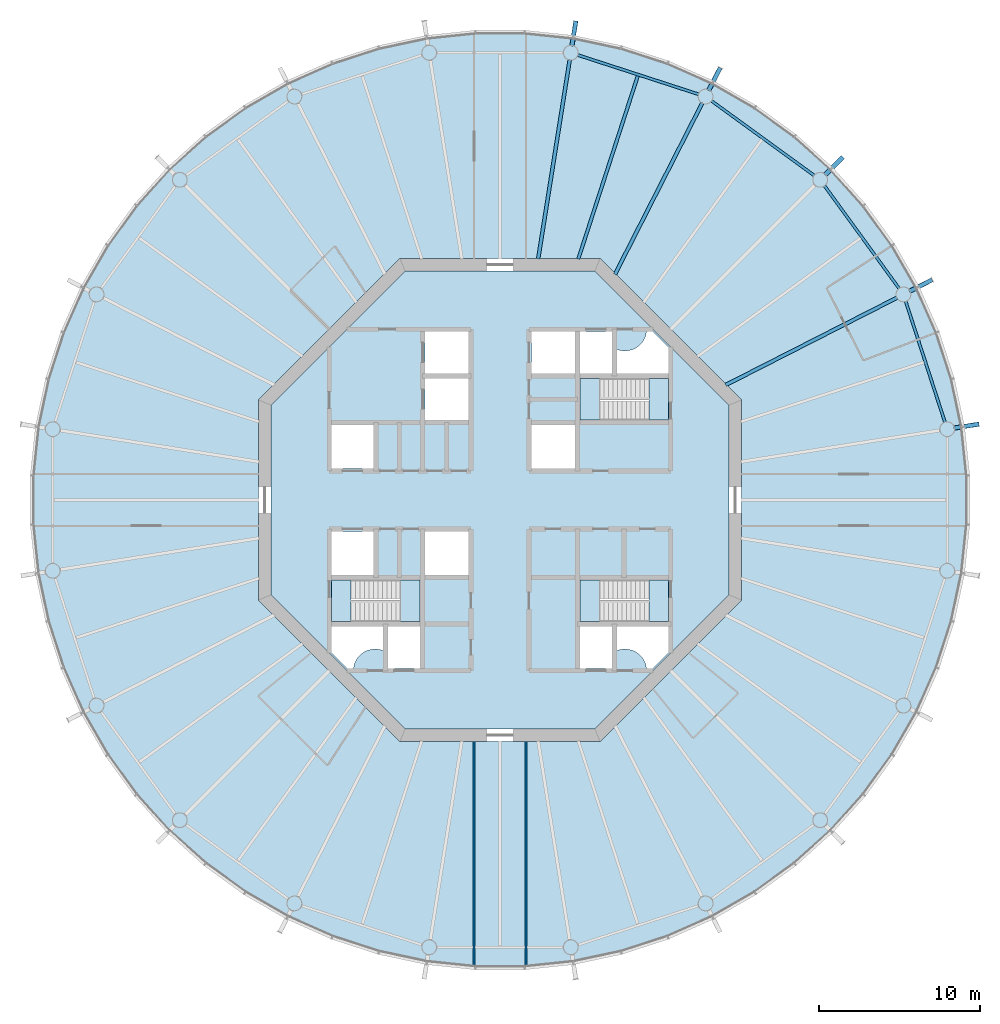
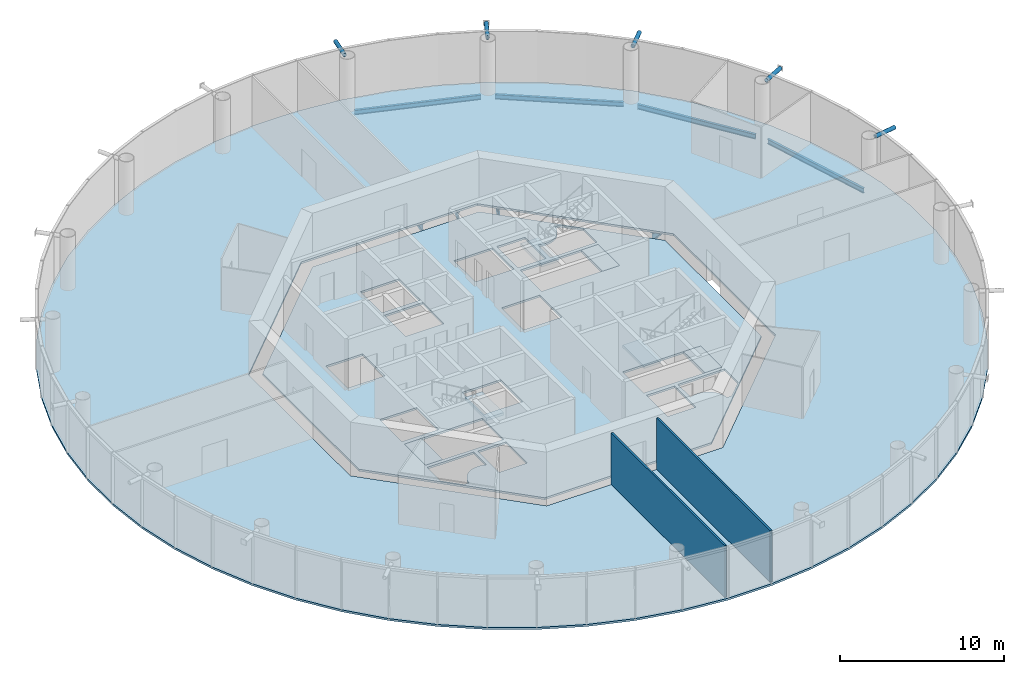
# One storey, part 2 of 16: 8 beams, 8 slabs, 5 members, 2 walls, 3 elements without a shape of their own.
"""IFC4 building model written with IfcOpenShell, lengths in metres."""

from ifc_helpers import new_model, si_unit, direction, frame, frame_2d, origin, origin_2d, place, context, subcontext, project, spatial, polyline, rectangle, circle, hollow_circle, i_section, outline, extrude, material, layer, layer_set, material_profile, profile_set, type_object, element, aggregate, save


model = new_model("IFC4")

# Units and contexts
model_context = context("Model", 3, precision=1e-05, world=origin(), true_north=direction((0.0, 1.0)))
body_context = subcontext(model_context, "Body", "Model", "MODEL_VIEW")
ifc_project = project(units=[si_unit("LENGTHUNIT", "METRE"), si_unit("AREAUNIT", "SQUARE_METRE"), si_unit("VOLUMEUNIT", "CUBIC_METRE"), si_unit("PLANEANGLEUNIT", "RADIAN"), si_unit("MASSUNIT", "GRAM", prefix="KILO")], contexts=[model_context])

# Site, building, storey
site_placement = place(None, origin())
site = spatial("IfcSite", under=ifc_project, at=site_placement, CompositionType="ELEMENT")
building_placement = place(site_placement, origin())
building = spatial("IfcBuilding", under=site, at=building_placement, Name="Entoto Ring Tower", CompositionType="ELEMENT")
storey_placement = place(building_placement, frame((0.0, 0.0, 326.0)))
storey = spatial("IfcBuildingStorey", under=building, at=storey_placement, Name="L75", CompositionType="ELEMENT", Elevation=326.0)

# Members
ifc_material_1 = material(Name="Steel S355", Category="steel")
ifc_material_profile_1 = material_profile(ifc_material_1, hollow_circle(Radius=0.136474609375, WallThickness=0.012451171875, at=origin_2d()), Name="CHS 273 x 12.5")
ifc_material_2 = material(Name="Concrete C60/75", Category="concrete")
ifc_material_profile_2 = material_profile(ifc_material_2, circle(Radius=0.1240234375, at=origin_2d()), Name="Concrete C60/75 infill")
ifc_profile_set_1 = profile_set([ifc_material_profile_1, ifc_material_profile_2], Name="Steel S355")
member_type = type_object("IfcMemberType", Name="Diagrid node strut 273 x 12.5", PredefinedType="STRUT", material=ifc_profile_set_1)
for number, where, z_axis, x_axis, name in (
    (1, (118.18359375, 84.4638671875, 3.71337890625), (0.987685696029, 0.156451161263, 0.0), (-0.156451161263, 0.987685696029, 0.0), "DS2 strut ring 24 01"),
    (2, (115.4248046875, 92.95458984375, 3.71337890625), (0.891032354048, 0.45393980222, 0.0), (-0.45393980222, 0.891032354048, 0.0), "DS2 strut ring 24 02"),
    (3, (110.17724609375, 100.17724609375, 3.71337890625), (0.707106781187, 0.707106781187, 0.0), (-0.707106781187, 0.707106781187, 0.0), "DS2 strut ring 24 03"),
    (4, (102.95458984375, 105.4248046875, 3.71337890625), (0.45393980222, 0.891032354048, 0.0), (-0.891032354048, 0.45393980222, 0.0), "DS2 strut ring 24 04"),
    (5, (94.4638671875, 108.18359375, 3.71337890625), (0.156451161263, 0.987685696029, 0.0), (-0.987685696029, 0.156451161263, 0.0), "DS2 strut ring 24 05"),
):
    element("IfcMember", number, at=place(storey_placement, frame(where, z_axis=z_axis, x_axis=x_axis)), inside=storey, type_object=member_type, Name=name, PredefinedType="STRUT", context=body_context, shape_type="SweptSolid", body=[
        extrude(hollow_circle(Radius=0.136474609375, WallThickness=0.012451171875, at=origin_2d()), origin(), (0.0, 0.0, 1.0), 1.565185546875),
    ])

# Beams
ifc_material_3 = material(Name="Steel S355", Category="steel")
ifc_material_profile_3 = material_profile(ifc_material_3, i_section(OverallWidth=0.169921875, OverallDepth=0.360107421875, WebThickness=0.008056640625, FlangeThickness=0.0126953125, FilletRadius=0.01806640625, at=origin_2d()), Name="IPE 360")
ifc_profile_set_2 = profile_set([ifc_material_profile_3], Name="Steel S355")
beam_type_1 = type_object("IfcBeamType", Name="Edge beam IPE 360", PredefinedType="SPANDREL", material=ifc_profile_set_2)
beam_1_placement = place(storey_placement, frame((117.61572265625, 84.8212890625, -0.330078125), z_axis=(-0.309002883506, 0.951061101079, 0.0), x_axis=(-0.951061101079, -0.309002883506, 0.0)))
element("IfcBeam", 6, at=beam_1_placement, inside=storey, type_object=beam_type_1, Name="Edge beam L75 01", PredefinedType="SPANDREL", context=body_context, shape_type="SweptSolid", body=[
    extrude(i_section(OverallWidth=0.169921875, OverallDepth=0.360107421875, WebThickness=0.008056640625, FlangeThickness=0.0126953125, FilletRadius=0.01806640625, at=origin_2d()), origin(), (0.0, 0.0, 1.0), 7.89697265625),
])
for number, where, z_axis, x_axis, name in (
    (7, (114.7744140625, 93.118896484375, -0.330078125), (-0.587787449408, 0.809015398073, 0.0), (-0.809015398073, -0.587787449408, 0.0), "Edge beam L75 02"),
    (8, (109.5078125, 100.132568359375, -0.330078125), (-0.809015398073, 0.587787449408, 0.0), (-0.587787449408, -0.809015398073, 0.0), "Edge beam L75 03"),
):
    element("IfcBeam", number, at=place(storey_placement, frame(where, z_axis=z_axis, x_axis=x_axis)), inside=storey, type_object=beam_type_1, Name=name, PredefinedType="SPANDREL", context=body_context, shape_type="SweptSolid", body=[
        extrude(i_section(OverallWidth=0.169921875, OverallDepth=0.360107421875, WebThickness=0.008056640625, FlangeThickness=0.0126953125, FilletRadius=0.01806640625, at=origin_2d()), origin(), (0.0, 0.0, 1.0), 7.897216796875),
    ])
beam_2_placement = place(storey_placement, frame((102.331787109375, 105.175537109375, -0.330078125), z_axis=(-0.951061101079, 0.309002883506, 0.0), x_axis=(-0.309002883506, -0.951061101079, 0.0)))
element("IfcBeam", 9, at=beam_2_placement, inside=storey, type_object=beam_type_1, Name="Edge beam L75 04", PredefinedType="SPANDREL", context=body_context, shape_type="SweptSolid", body=[
    extrude(i_section(OverallWidth=0.169921875, OverallDepth=0.360107421875, WebThickness=0.008056640625, FlangeThickness=0.0126953125, FilletRadius=0.01806640625, at=origin_2d()), origin(), (0.0, 0.0, 1.0), 7.89697265625),
])
ifc_material_4 = material(Name="Steel S355", Category="steel")
ifc_material_profile_4 = material_profile(ifc_material_4, i_section(OverallWidth=0.219970703125, OverallDepth=0.60009765625, WebThickness=0.011962890625, FlangeThickness=0.01904296875, FilletRadius=0.02392578125, at=origin_2d()), Name="IPE 600")
ifc_profile_set_3 = profile_set([ifc_material_profile_4], Name="Steel S355")
beam_type_2 = type_object("IfcBeamType", Name="Primary floor beam IPE 600", PredefinedType="BEAM", material=ifc_profile_set_3)
for number, where, z_axis, x_axis, name in (
    (10, (104.003173828125, 87.135009765625, -0.449951171875), (0.891007666593, 0.453988257638, 0.0), (-0.453988257638, 0.891007666593, 0.0), "Primary L75 R02"),
    (11, (97.135009765625, 94.003173828125, -0.449951171875), (0.453988257638, 0.891007666593, 0.0), (-0.891007666593, 0.453988257638, 0.0), "Primary L75 R04"),
):
    element("IfcBeam", number, at=place(storey_placement, frame(where, z_axis=z_axis, x_axis=x_axis)), inside=storey, type_object=beam_type_2, Name=name, PredefinedType="BEAM", context=body_context, shape_type="SweptSolid", body=[
        extrude(i_section(OverallWidth=0.219970703125, OverallDepth=0.60009765625, WebThickness=0.011962890625, FlangeThickness=0.01904296875, FilletRadius=0.02392578125, at=origin_2d()), origin(), (0.0, 0.0, 1.0), 11.941650390625),
    ])
beam_3_placement = place(storey_placement, frame((92.369873046875, 94.963134765625, -0.449951171875), z_axis=(0.156439647277, 0.987687519796, 0.0), x_axis=(-0.987687519796, 0.156439647277, 0.0)))
element("IfcBeam", 12, at=beam_3_placement, inside=storey, type_object=beam_type_2, Name="Primary L75 R05", PredefinedType="BEAM", context=body_context, shape_type="SweptSolid", body=[
    extrude(i_section(OverallWidth=0.219970703125, OverallDepth=0.60009765625, WebThickness=0.011962890625, FlangeThickness=0.01904296875, FilletRadius=0.02392578125, at=origin_2d()), origin(), (0.0, 0.0, 1.0), 12.50830078125),
])
ifc_material_5 = material(Name="Steel S355", Category="steel")
ifc_material_profile_5 = material_profile(ifc_material_5, i_section(OverallWidth=0.199951171875, OverallDepth=0.5, WebThickness=0.01025390625, FlangeThickness=0.01611328125, FilletRadius=0.02099609375, at=origin_2d()), Name="IPE 500")
ifc_profile_set_4 = profile_set([ifc_material_profile_5], Name="Steel S355")
beam_type_3 = type_object("IfcBeamType", Name="Secondary floor beam IPE 500", PredefinedType="JOIST", material=ifc_profile_set_4)
beam_4_placement = place(storey_placement, frame((94.857666015625, 94.9501953125, -0.39990234375), z_axis=(0.30901677521, 0.951056587506, 0.0), x_axis=(-0.951056587506, 0.30901677521, 0.0)))
element("IfcBeam", 13, at=beam_4_placement, inside=storey, type_object=beam_type_3, Name="Secondary beam L75 04", PredefinedType="JOIST", context=body_context, shape_type="SweptSolid", body=[
    extrude(i_section(OverallWidth=0.199951171875, OverallDepth=0.5, WebThickness=0.01025390625, FlangeThickness=0.01611328125, FilletRadius=0.02099609375, at=origin_2d()), origin(), (0.0, 0.0, 1.0), 11.94970703125),
])

# Slabs
ifc_material_6 = material(Name="Concrete C30/37", Category="concrete")
ifc_layer_1 = layer(ifc_material_6, 0.14990234375)
ifc_layer_set_1 = layer_set([ifc_layer_1], Name="Concrete C30/37")
slab_type_1 = type_object("IfcSlabType", Name="Composite floor slab 150 mm", PredefinedType="FLOOR", material=ifc_layer_set_1)
slab_1_placement = place(storey_placement, frame((0.0, 0.0, -0.14990234375)))
element("IfcSlab", 14, at=slab_1_placement, inside=storey, type_object=slab_type_1, Name="Floor slab L75", PredefinedType="FLOOR", context=body_context, shape_type="SweptSolid", body=[
    extrude(outline(polyline([(118.74169921875, 84.55224609375), (118.1083984375, 87.53173828125), (117.167236328125, 90.428466796875), (115.92822265625, 93.211181640625), (114.4052734375, 95.848876953125), (112.614990234375, 98.313232421875), (110.576904296875, 100.576904296875), (108.313232421875, 102.614990234375), (105.848876953125, 104.4052734375), (103.211181640625, 105.92822265625), (100.428466796875, 107.167236328125), (97.53173828125, 108.1083984375), (94.55224609375, 108.74169921875), (91.52294921875, 109.06005859375), (88.47705078125, 109.06005859375), (85.44775390625, 108.74169921875), (82.46826171875, 108.1083984375), (79.571533203125, 107.167236328125), (76.788818359375, 105.92822265625), (74.151123046875, 104.4052734375), (71.686767578125, 102.614990234375), (69.423095703125, 100.576904296875), (67.385009765625, 98.313232421875), (65.5947265625, 95.848876953125), (64.07177734375, 93.211181640625), (62.832763671875, 90.428466796875), (61.8916015625, 87.53173828125), (61.25830078125, 84.55224609375), (60.93994140625, 81.52294921875), (60.93994140625, 78.47705078125), (61.25830078125, 75.44775390625), (61.8916015625, 72.46826171875), (62.832763671875, 69.571533203125), (64.07177734375, 66.788818359375), (65.5947265625, 64.151123046875), (67.385009765625, 61.686767578125), (69.423095703125, 59.423095703125), (71.686767578125, 57.385009765625), (74.151123046875, 55.5947265625), (76.788818359375, 54.07177734375), (79.571533203125, 52.832763671875), (82.46826171875, 51.8916015625), (85.44775390625, 51.25830078125), (88.47705078125, 50.93994140625), (91.52294921875, 50.93994140625), (94.55224609375, 51.25830078125), (97.53173828125, 51.8916015625), (100.428466796875, 52.832763671875), (103.211181640625, 54.07177734375), (105.848876953125, 55.5947265625), (108.313232421875, 57.385009765625), (110.576904296875, 59.423095703125), (112.614990234375, 61.686767578125), (114.4052734375, 64.151123046875), (115.92822265625, 66.788818359375), (117.167236328125, 69.571533203125), (118.1083984375, 72.46826171875), (118.74169921875, 75.44775390625), (119.06005859375, 78.47705078125), (119.06005859375, 81.52294921875), (118.74169921875, 84.55224609375)]), holes=[polyline([(105.0, 73.786865234375), (105.0, 86.213134765625), (96.213134765625, 95.0), (83.786865234375, 95.0), (75.0, 86.213134765625), (75.0, 73.786865234375), (83.786865234375, 65.0), (96.213134765625, 65.0), (105.0, 73.786865234375)])]), origin(), (0.0, 0.0, 1.0), 0.14990234375),
])
ifc_material_7 = material(Name="Concrete C40/50", Category="concrete")
ifc_layer_2 = layer(ifc_material_7, 0.14990234375)
ifc_layer_set_2 = layer_set([ifc_layer_2], Name="Concrete C40/50")
slab_type_2 = type_object("IfcSlabType", Name="Core floor slab 150 mm reinforced concrete C40/50", PredefinedType="FLOOR", material=ifc_layer_set_2)
slab_2_placement = place(storey_placement, frame((0.0, 0.0, -0.14990234375)))
element("IfcSlab", 15, at=slab_2_placement, inside=storey, type_object=slab_type_2, Name="Core floor L75", PredefinedType="FLOOR", context=body_context, shape_type="SweptSolid", body=[
    extrude(outline(polyline([(104.199951171875, 74.1181640625), (104.199951171875, 85.8818359375), (95.8818359375, 94.199951171875), (84.1181640625, 94.199951171875), (75.800048828125, 85.8818359375), (75.800048828125, 74.1181640625), (84.1181640625, 65.800048828125), (95.8818359375, 65.800048828125), (104.199951171875, 74.1181640625)]), holes=[polyline([(100.449951171875, 84.949951171875), (100.449951171875, 87.550048828125), (94.949951171875, 87.550048828125), (94.949951171875, 84.949951171875), (100.449951171875, 84.949951171875)]), polyline([(85.050048828125, 72.449951171875), (85.050048828125, 75.050048828125), (79.550048828125, 75.050048828125), (79.550048828125, 72.449951171875), (85.050048828125, 72.449951171875)]), polyline([(100.449951171875, 72.449951171875), (100.449951171875, 75.050048828125), (94.949951171875, 75.050048828125), (94.949951171875, 72.449951171875), (100.449951171875, 72.449951171875)]), polyline([(94.949951171875, 90.449951171875), (94.949951171875, 87.85009765625), (96.949951171875, 87.85009765625), (96.949951171875, 90.449951171875), (94.949951171875, 90.449951171875)]), polyline([(94.949951171875, 72.14990234375), (94.949951171875, 69.550048828125), (96.949951171875, 69.550048828125), (96.949951171875, 72.14990234375), (94.949951171875, 72.14990234375)]), polyline([(83.050048828125, 72.14990234375), (83.050048828125, 69.550048828125), (85.050048828125, 69.550048828125), (85.050048828125, 72.14990234375), (83.050048828125, 72.14990234375)]), polyline([(79.550048828125, 81.949951171875), (82.14990234375, 81.949951171875), (82.14990234375, 84.64990234375), (79.550048828125, 84.64990234375), (79.550048828125, 81.949951171875)]), polyline([(79.550048828125, 75.35009765625), (82.14990234375, 75.35009765625), (82.14990234375, 78.050048828125), (79.550048828125, 78.050048828125), (79.550048828125, 75.35009765625)]), polyline([(91.949951171875, 87.85009765625), (94.64990234375, 87.85009765625), (94.64990234375, 90.449951171875), (91.949951171875, 90.449951171875), (91.949951171875, 87.85009765625)]), polyline([(91.949951171875, 81.949951171875), (94.64990234375, 81.949951171875), (94.64990234375, 84.64990234375), (91.949951171875, 84.64990234375), (91.949951171875, 81.949951171875)]), polyline([(85.35009765625, 75.35009765625), (88.050048828125, 75.35009765625), (88.050048828125, 78.050048828125), (85.35009765625, 78.050048828125), (85.35009765625, 75.35009765625)]), polyline([(85.35009765625, 84.949951171875), (88.050048828125, 84.949951171875), (88.050048828125, 87.550048828125), (85.35009765625, 87.550048828125), (85.35009765625, 84.949951171875)]), polyline([(85.35009765625, 87.85009765625), (88.050048828125, 87.85009765625), (88.050048828125, 90.449951171875), (85.35009765625, 90.449951171875), (85.35009765625, 87.85009765625)]), polyline([(97.199951171875, 89.368408203125), (97.199951171875, 87.800048828125), (100.5, 87.800048828125), (100.5, 89.4404296875), (99.4404296875, 90.5), (99.09521484375, 90.5), (99.093505859375, 90.4677734375), (99.07421875, 90.336669921875), (99.0419921875, 90.2080078125), (98.997314453125, 90.08349609375), (98.940673828125, 89.963623046875), (98.87255859375, 89.85009765625), (98.793701171875, 89.74365234375), (98.70458984375, 89.6455078125), (98.6064453125, 89.556396484375), (98.5, 89.4775390625), (98.386474609375, 89.409423828125), (98.2666015625, 89.352783203125), (98.141845703125, 89.30810546875), (98.013427734375, 89.27587890625), (97.88232421875, 89.256591796875), (97.75, 89.25), (97.61767578125, 89.256591796875), (97.486572265625, 89.27587890625), (97.358154296875, 89.30810546875), (97.2333984375, 89.352783203125), (97.199951171875, 89.368408203125)]), polyline([(80.5595703125, 69.5), (80.90478515625, 69.5), (80.906494140625, 69.5322265625), (80.92578125, 69.663330078125), (80.9580078125, 69.7919921875), (81.002685546875, 69.91650390625), (81.059326171875, 70.036376953125), (81.12744140625, 70.14990234375), (81.206298828125, 70.25634765625), (81.29541015625, 70.3544921875), (81.3935546875, 70.443603515625), (81.5, 70.5224609375), (81.613525390625, 70.590576171875), (81.7333984375, 70.647216796875), (81.858154296875, 70.69189453125), (81.986572265625, 70.72412109375), (82.11767578125, 70.743408203125), (82.25, 70.75), (82.38232421875, 70.743408203125), (82.513427734375, 70.72412109375), (82.641845703125, 70.69189453125), (82.7666015625, 70.647216796875), (82.800048828125, 70.631591796875), (82.800048828125, 72.199951171875), (79.5, 72.199951171875), (79.5, 70.5595703125), (80.5595703125, 69.5)]), polyline([(99.09521484375, 69.5), (99.4404296875, 69.5), (100.5, 70.5595703125), (100.5, 72.199951171875), (97.199951171875, 72.199951171875), (97.199951171875, 70.631591796875), (97.2333984375, 70.647216796875), (97.358154296875, 70.69189453125), (97.486572265625, 70.72412109375), (97.61767578125, 70.743408203125), (97.75, 70.75), (97.88232421875, 70.743408203125), (98.013427734375, 70.72412109375), (98.141845703125, 70.69189453125), (98.2666015625, 70.647216796875), (98.386474609375, 70.590576171875), (98.5, 70.5224609375), (98.6064453125, 70.443603515625), (98.70458984375, 70.3544921875), (98.793701171875, 70.25634765625), (98.87255859375, 70.14990234375), (98.940673828125, 70.036376953125), (98.997314453125, 69.91650390625), (99.0419921875, 69.7919921875), (99.07421875, 69.663330078125), (99.093505859375, 69.5322265625), (99.09521484375, 69.5)])]), origin(), (0.0, 0.0, 1.0), 0.14990234375),
])

# Stair, slabs
ifc_material_8 = material(Name="Concrete C40/50", Category="concrete")
stair_type = type_object("IfcStairType", Name="Exit stair 1200 mm dog-leg reinforced concrete", PredefinedType="HALF_TURN_STAIR", material=ifc_material_8)
stair_1_placement = place(storey_placement, origin())
stair_1 = element("IfcStair", 16, at=stair_1_placement, inside=storey, type_object=stair_type, Name="Exit stair 1", PredefinedType="HALF_TURN_STAIR")
ifc_material_9 = material(Name="Concrete C40/50", Category="concrete")
ifc_layer_3 = layer(ifc_material_9, 0.199951171875)
ifc_layer_set_3 = layer_set([ifc_layer_3], Name="Concrete C40/50")
slab_type_3 = type_object("IfcSlabType", Name="Stair landing 200 mm reinforced concrete", PredefinedType="LANDING", material=ifc_layer_set_3)
slab_3_placement = place(storey_placement, frame((0.0, 0.0, -0.199951171875)))
slab_3 = element("IfcSlab", 17, at=slab_3_placement, type_object=slab_type_3, Name="ST1 landing 1", PredefinedType="LANDING", context=body_context, shape_type="SweptSolid", body=[
    extrude(outline(polyline([(100.449951171875, 84.949951171875), (100.449951171875, 87.550048828125), (99.25, 87.550048828125), (99.25, 84.949951171875), (100.449951171875, 84.949951171875)])), origin(), (0.0, 0.0, 1.0), 0.199951171875),
])
slab_4_placement = place(storey_placement, frame((0.0, 0.0, 1.800048828125)))
slab_4 = element("IfcSlab", 18, at=slab_4_placement, type_object=slab_type_3, Name="ST1 landing 2", PredefinedType="LANDING", context=body_context, shape_type="SweptSolid", body=[
    extrude(outline(polyline([(94.949951171875, 84.949951171875), (96.169921875, 84.949951171875), (96.169921875, 87.550048828125), (94.949951171875, 87.550048828125), (94.949951171875, 84.949951171875)])), origin(), (0.0, 0.0, 1.0), 0.199951171875),
])
aggregate(stair_1, [slab_3, slab_4])

stair_2_placement = place(storey_placement, origin())
stair_2 = element("IfcStair", 19, at=stair_2_placement, inside=storey, type_object=stair_type, Name="Exit stair 2", PredefinedType="HALF_TURN_STAIR")
slab_5_placement = place(storey_placement, frame((0.0, 0.0, -0.199951171875)))
slab_5 = element("IfcSlab", 20, at=slab_5_placement, type_object=slab_type_3, Name="ST2 landing 1", PredefinedType="LANDING", context=body_context, shape_type="SweptSolid", body=[
    extrude(outline(polyline([(80.75, 72.449951171875), (80.75, 75.050048828125), (79.550048828125, 75.050048828125), (79.550048828125, 72.449951171875), (80.75, 72.449951171875)])), origin(), (0.0, 0.0, 1.0), 0.199951171875),
])
slab_6_placement = place(storey_placement, frame((0.0, 0.0, 1.800048828125)))
slab_6 = element("IfcSlab", 21, at=slab_6_placement, type_object=slab_type_3, Name="ST2 landing 2", PredefinedType="LANDING", context=body_context, shape_type="SweptSolid", body=[
    extrude(outline(polyline([(83.830078125, 72.449951171875), (85.050048828125, 72.449951171875), (85.050048828125, 75.050048828125), (83.830078125, 75.050048828125), (83.830078125, 72.449951171875)])), origin(), (0.0, 0.0, 1.0), 0.199951171875),
])
aggregate(stair_2, [slab_5, slab_6])

stair_3_placement = place(storey_placement, origin())
stair_3 = element("IfcStair", 22, at=stair_3_placement, inside=storey, type_object=stair_type, Name="Exit stair 3", PredefinedType="HALF_TURN_STAIR")
slab_7_placement = place(storey_placement, frame((0.0, 0.0, -0.199951171875)))
slab_7 = element("IfcSlab", 23, at=slab_7_placement, type_object=slab_type_3, Name="ST3 landing 1", PredefinedType="LANDING", context=body_context, shape_type="SweptSolid", body=[
    extrude(outline(polyline([(100.449951171875, 72.449951171875), (100.449951171875, 75.050048828125), (99.25, 75.050048828125), (99.25, 72.449951171875), (100.449951171875, 72.449951171875)])), origin(), (0.0, 0.0, 1.0), 0.199951171875),
])
slab_8_placement = place(storey_placement, frame((0.0, 0.0, 1.800048828125)))
slab_8 = element("IfcSlab", 24, at=slab_8_placement, type_object=slab_type_3, Name="ST3 landing 2", PredefinedType="LANDING", context=body_context, shape_type="SweptSolid", body=[
    extrude(outline(polyline([(94.949951171875, 72.449951171875), (96.169921875, 72.449951171875), (96.169921875, 75.050048828125), (94.949951171875, 75.050048828125), (94.949951171875, 72.449951171875)])), origin(), (0.0, 0.0, 1.0), 0.199951171875),
])
aggregate(stair_3, [slab_7, slab_8])

# Walls
ifc_material_10 = material(Name="Fire-resisting plasterboard on steel studs", Category="steel")
ifc_layer_4 = layer(ifc_material_10, 0.125)
ifc_layer_set_4 = layer_set([ifc_layer_4], Name="Fire-resisting plasterboard on steel studs")
wall_type = type_object("IfcWallType", Name="Corridor wall 125 mm one-hour plasterboard on steel studs", PredefinedType="PARTITIONING", material=ifc_layer_set_4)
for number, where, z_axis, x_axis, name in (
    (25, (88.39990234375, 51.108642578125, 0.0), (0.0, 0.0, 1.0), (0.0, 1.0, 0.0), "partition-L75-003"),
    (26, (91.60009765625, 51.108642578125, 0.0), (0.0, 0.0, 1.0), (0.0, 1.0, 0.0), "partition-L75-005"),
):
    element("IfcWall", number, at=place(storey_placement, frame(where, z_axis=z_axis, x_axis=x_axis)), inside=storey, type_object=wall_type, Name=name, PredefinedType="PARTITIONING", context=body_context, shape_type="SweptSolid", body=[
        extrude(rectangle(XDim=13.891357421875, YDim=0.125, at=frame_2d((6.94580078125, 0.0))), origin(), (0.0, 0.0, 1.0), 3.85009765625),
    ])

save(model, "model.ifc")
